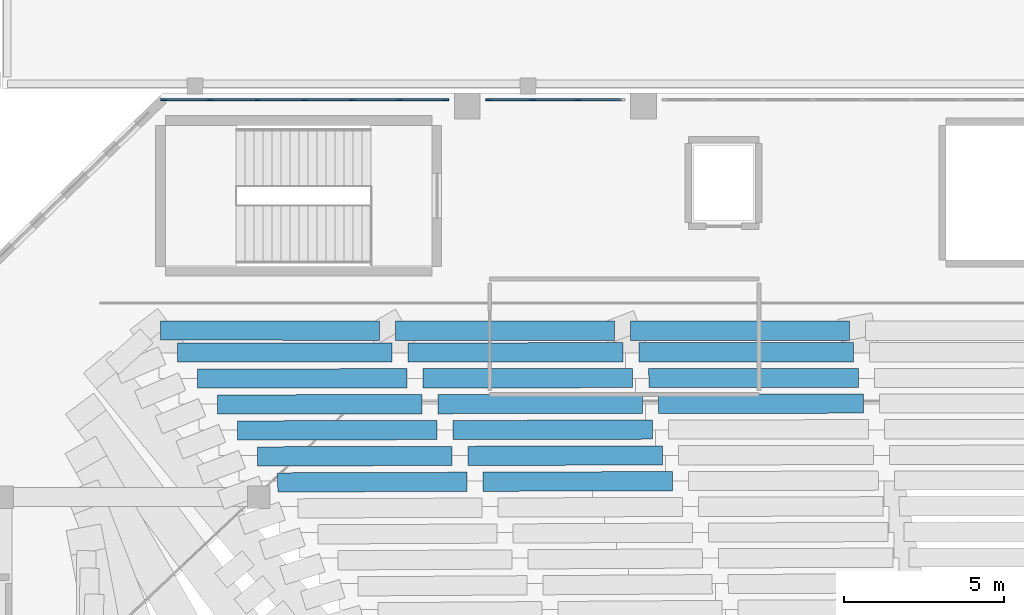
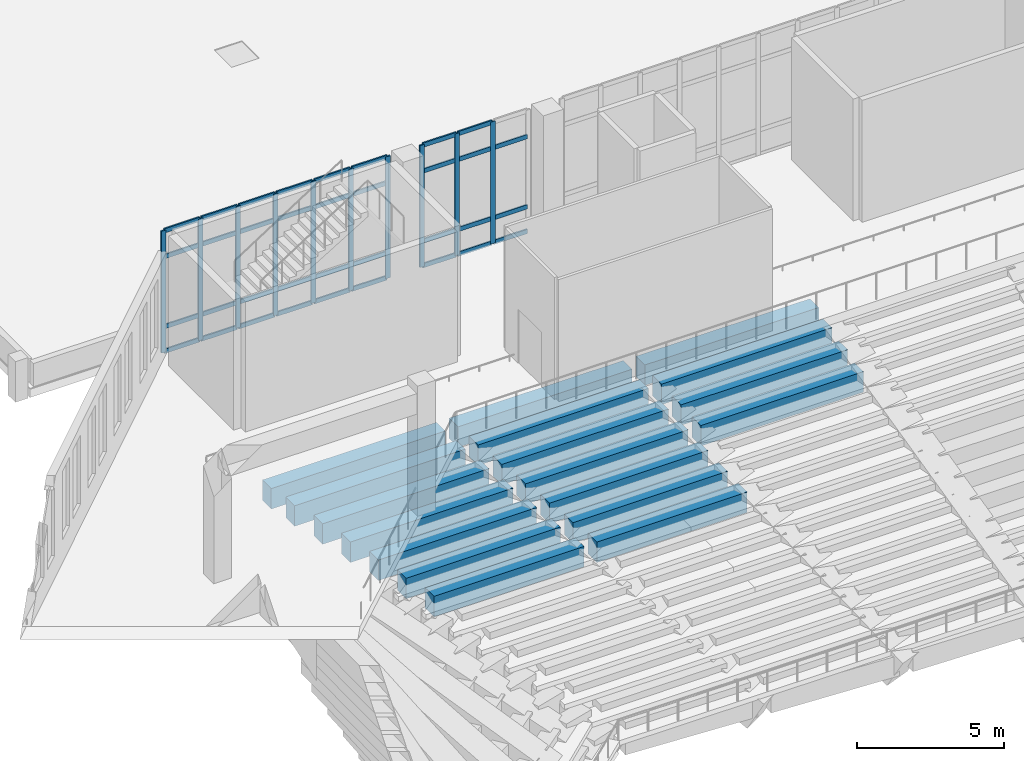
# One storey, part 22 of 55: 45 members, 18 beams, 2 elements without a shape of their own.
"""IFC4 building model written with IfcOpenShell, lengths in metres."""

from ifc_helpers import new_model, si_unit, derived_unit, direction, frame, origin, origin_2d, place, context, subcontext, project, spatial, rectangle, extrude, material, layer, layer_set, material_profile, profile_set, type_object, element, aggregate, save


model = new_model("IFC4")

# Units and contexts
model_context = context("Model", 3, precision=1e-05, world=origin(), true_north=direction((0.0, 1.0)))
body_context = subcontext(model_context, "Body", "Model", "MODEL_VIEW")
ifc_project = project(units=[si_unit("LENGTHUNIT", "METRE"), si_unit("AREAUNIT", "SQUARE_METRE"), si_unit("VOLUMEUNIT", "CUBIC_METRE"), si_unit("PLANEANGLEUNIT", "RADIAN"), si_unit("MASSUNIT", "GRAM", prefix="KILO"), derived_unit("THERMALTRANSMITTANCEUNIT", [(si_unit("MASSUNIT", "GRAM", prefix="KILO"), 1), (si_unit("TIMEUNIT", "SECOND"), -3), (si_unit("THERMODYNAMICTEMPERATUREUNIT", "KELVIN"), -1)])], contexts=[model_context])

# Site, building, storey
site_placement = place(None, origin())
site = spatial("IfcSite", under=ifc_project, at=site_placement, CompositionType="ELEMENT")
building_placement = place(site_placement, origin())
building = spatial("IfcBuilding", under=site, at=building_placement, Name="Valcora Ridge Arena", CompositionType="ELEMENT")
storey_placement = place(building_placement, frame((0.0, 0.0, 21.0)))
storey = spatial("IfcBuildingStorey", under=building, at=storey_placement, Name="L04", CompositionType="ELEMENT", Elevation=21.0)

# Beams
ifc_material_1 = material(Name="Concrete C40/50", Category="concrete")
ifc_material_profile_1 = material_profile(ifc_material_1, rectangle(XDim=0.60009765625, YDim=0.85009765625, at=origin_2d()), Name="RC 600x850")
ifc_profile_set_1 = profile_set([ifc_material_profile_1], Name="Concrete C40/50")
beam_type = type_object("IfcBeamType", Name="TY-BEAM-B-RC600-X", PredefinedType="BEAM", material=ifc_profile_set_1)
beam_1_placement = place(storey_placement, frame((44.902099609375, 96.09716796875, -4.385009765625), z_axis=(-0.999994812156, -0.003221127208, 0.0), x_axis=(0.003221127208, -0.999994812156, 0.0)))
element("IfcBeam", 1, at=beam_1_placement, inside=storey, type_object=beam_type, Name="B-RC600-X BEM-RU3-B-RC600-X-0362", PredefinedType="BEAM", context=body_context, shape_type="SweptSolid", body=[
    extrude(rectangle(XDim=0.60009765625, YDim=0.85009765625, at=origin_2d()), origin(), (0.0, 0.0, 1.0), 5.911865234375),
])
beam_2_placement = place(storey_placement, frame((38.490234375, 96.076416015625, -4.385009765625), z_axis=(-0.999994797988, -0.003225522878, 0.0), x_axis=(0.003225522878, -0.999994797988, 0.0)))
element("IfcBeam", 2, at=beam_2_placement, inside=storey, type_object=beam_type, Name="B-RC600-X BEM-RU3-B-RC600-X-0363", PredefinedType="BEAM", context=body_context, shape_type="SweptSolid", body=[
    extrude(rectangle(XDim=0.60009765625, YDim=0.85009765625, at=origin_2d()), origin(), (0.0, 0.0, 1.0), 5.90380859375),
])
beam_3_placement = place(storey_placement, frame((44.59228515625, 96.90087890625, -3.905029296875), z_axis=(-0.999996581566, -0.002614738236, 0.0), x_axis=(0.002614738236, -0.999996581566, 0.0)))
element("IfcBeam", 3, at=beam_3_placement, inside=storey, type_object=beam_type, Name="B-RC600-X BEM-RU3-B-RC600-X-0392", PredefinedType="BEAM", context=body_context, shape_type="SweptSolid", body=[
    extrude(rectangle(XDim=0.60009765625, YDim=0.85009765625, at=origin_2d()), origin(), (0.0, 0.0, 1.0), 6.069091796875),
])
beam_4_placement = place(storey_placement, frame((38.023193359375, 96.8837890625, -3.905029296875), z_axis=(-0.999996573576, -0.002617792077, 0.0), x_axis=(0.002617792077, -0.999996573576, 0.0)))
element("IfcBeam", 4, at=beam_4_placement, inside=storey, type_object=beam_type, Name="B-RC600-X BEM-RU3-B-RC600-X-0393", PredefinedType="BEAM", context=body_context, shape_type="SweptSolid", body=[
    extrude(rectangle(XDim=0.60009765625, YDim=0.85009765625, at=origin_2d()), origin(), (0.0, 0.0, 1.0), 6.06201171875),
])
beam_5_placement = place(storey_placement, frame((44.2822265625, 97.704833984375, -3.425048828125), z_axis=(-0.999997920969, -0.002039131481, 0.0), x_axis=(0.002039131481, -0.999997920969, 0.0)))
element("IfcBeam", 5, at=beam_5_placement, inside=storey, type_object=beam_type, Name="B-RC600-X BEM-RU3-B-RC600-X-0424", PredefinedType="BEAM", context=body_context, shape_type="SweptSolid", body=[
    extrude(rectangle(XDim=0.60009765625, YDim=0.85009765625, at=origin_2d()), origin(), (0.0, 0.0, 1.0), 6.225830078125),
])
beam_6_placement = place(storey_placement, frame((37.556396484375, 97.691162109375, -3.425048828125), z_axis=(-0.999997836676, -0.002080058294, 0.0), x_axis=(0.002080058294, -0.999997836676, 0.0)))
element("IfcBeam", 6, at=beam_6_placement, inside=storey, type_object=beam_type, Name="B-RC600-X BEM-RU3-B-RC600-X-0425", PredefinedType="BEAM", context=body_context, shape_type="SweptSolid", body=[
    extrude(rectangle(XDim=0.60009765625, YDim=0.85009765625, at=origin_2d()), origin(), (0.0, 0.0, 1.0), 6.220703125),
])
beam_7_placement = place(storey_placement, frame((50.859619140625, 98.5166015625, -2.945068359375), z_axis=(-0.999999342589, -0.00114665674, 0.0), x_axis=(0.00114665674, -0.999999342589, 0.0)))
element("IfcBeam", 7, at=beam_7_placement, inside=storey, type_object=beam_type, Name="B-RC600-X BEM-RU3-B-RC600-X-0455", PredefinedType="BEAM", context=body_context, shape_type="SweptSolid", body=[
    extrude(rectangle(XDim=0.60009765625, YDim=0.85009765625, at=origin_2d()), origin(), (0.0, 0.0, 1.0), 6.387451171875),
])
beam_8_placement = place(storey_placement, frame((43.97216796875, 98.508544921875, -2.945068359375), z_axis=(-0.999998887361, -0.001491736406, 0.0), x_axis=(0.001491736406, -0.999998887361, 0.0)))
element("IfcBeam", 8, at=beam_8_placement, inside=storey, type_object=beam_type, Name="B-RC600-X BEM-RU3-B-RC600-X-0456", PredefinedType="BEAM", context=body_context, shape_type="SweptSolid", body=[
    extrude(rectangle(XDim=0.60009765625, YDim=0.85009765625, at=origin_2d()), origin(), (0.0, 0.0, 1.0), 6.3828125),
])
beam_9_placement = place(storey_placement, frame((37.08935546875, 98.498291015625, -2.945068359375), z_axis=(-0.999998885998, -0.001492649899, 0.0), x_axis=(0.001492649899, -0.999998885998, 0.0)))
element("IfcBeam", 9, at=beam_9_placement, inside=storey, type_object=beam_type, Name="B-RC600-X BEM-RU3-B-RC600-X-0457", PredefinedType="BEAM", context=body_context, shape_type="SweptSolid", body=[
    extrude(rectangle(XDim=0.60009765625, YDim=0.85009765625, at=origin_2d()), origin(), (0.0, 0.0, 1.0), 6.37890625),
])
beam_10_placement = place(storey_placement, frame((50.705078125, 99.31787109375, -2.465087890625), z_axis=(-0.999999721542, -0.000746268449, 0.0), x_axis=(0.000746268449, -0.999999721542, 0.0)))
element("IfcBeam", 10, at=beam_10_placement, inside=storey, type_object=beam_type, Name="B-RC600-X BEM-RU3-B-RC600-X-0487", PredefinedType="BEAM", context=body_context, shape_type="SweptSolid", body=[
    extrude(rectangle(XDim=0.60009765625, YDim=0.85009765625, at=origin_2d()), origin(), (0.0, 0.0, 1.0), 6.54296875),
])
beam_11_placement = place(storey_placement, frame((43.662109375, 99.3125, -2.465087890625), z_axis=(-0.999999528949, -0.00097061962, 0.0), x_axis=(0.00097061962, -0.999999528949, 0.0)))
element("IfcBeam", 11, at=beam_11_placement, inside=storey, type_object=beam_type, Name="B-RC600-X BEM-RU3-B-RC600-X-0488", PredefinedType="BEAM", context=body_context, shape_type="SweptSolid", body=[
    extrude(rectangle(XDim=0.60009765625, YDim=0.85009765625, at=origin_2d()), origin(), (0.0, 0.0, 1.0), 6.539794921875),
])
beam_12_placement = place(storey_placement, frame((36.622314453125, 99.3056640625, -2.465087890625), z_axis=(-0.999999528562, -0.000971018365, 0.0), x_axis=(0.000971018365, -0.999999528562, 0.0)))
element("IfcBeam", 12, at=beam_12_placement, inside=storey, type_object=beam_type, Name="B-RC600-X BEM-RU3-B-RC600-X-0489", PredefinedType="BEAM", context=body_context, shape_type="SweptSolid", body=[
    extrude(rectangle(XDim=0.60009765625, YDim=0.85009765625, at=origin_2d()), origin(), (0.0, 0.0, 1.0), 6.537109375),
])
beam_13_placement = place(storey_placement, frame((50.550537109375, 100.118896484375, -1.985107421875), z_axis=(-0.999999933575, -0.000364484595, 0.0), x_axis=(0.000364484595, -0.999999933575, 0.0)))
element("IfcBeam", 13, at=beam_13_placement, inside=storey, type_object=beam_type, Name="B-RC600-X BEM-RU3-B-RC600-X-0519", PredefinedType="BEAM", context=body_context, shape_type="SweptSolid", body=[
    extrude(rectangle(XDim=0.60009765625, YDim=0.85009765625, at=origin_2d()), origin(), (0.0, 0.0, 1.0), 6.6982421875),
])
beam_14_placement = place(storey_placement, frame((43.352294921875, 100.1162109375, -1.985107421875), z_axis=(-0.999999887702, -0.000473916319, 0.0), x_axis=(0.000473916319, -0.999999887702, 0.0)))
element("IfcBeam", 14, at=beam_14_placement, inside=storey, type_object=beam_type, Name="B-RC600-X BEM-RU3-B-RC600-X-0520", PredefinedType="BEAM", context=body_context, shape_type="SweptSolid", body=[
    extrude(rectangle(XDim=0.60009765625, YDim=0.85009765625, at=origin_2d()), origin(), (0.0, 0.0, 1.0), 6.697021484375),
])
beam_15_placement = place(storey_placement, frame((36.1552734375, 100.11279296875, -1.985107421875), z_axis=(-0.999999887653, -0.000474020001, 0.0), x_axis=(0.000474020001, -0.999999887653, 0.0)))
element("IfcBeam", 15, at=beam_15_placement, inside=storey, type_object=beam_type, Name="B-RC600-X BEM-RU3-B-RC600-X-0521", PredefinedType="BEAM", context=body_context, shape_type="SweptSolid", body=[
    extrude(rectangle(XDim=0.60009765625, YDim=0.85009765625, at=origin_2d()), origin(), (0.0, 0.0, 1.0), 6.695556640625),
])
beam_16_placement = place(storey_placement, frame((50.421875, 100.786376953125, -1.5048828125), z_axis=(-0.999999959099, 0.000286010499, 0.0), x_axis=(-0.000286010499, -0.999999959099, 0.0)))
element("IfcBeam", 16, at=beam_16_placement, inside=storey, type_object=beam_type, Name="B-RC600-X BEM-RU3-B-RC600-X-0551", PredefinedType="BEAM", context=body_context, shape_type="SweptSolid", body=[
    extrude(rectangle(XDim=0.60009765625, YDim=0.85009765625, at=origin_2d()), origin(), (0.0, 0.0, 1.0), 6.828857421875),
])
beam_17_placement = place(storey_placement, frame((43.093017578125, 100.78857421875, -1.5048828125), z_axis=(-0.999999908012, 0.000428923719, 0.0), x_axis=(-0.000428923719, -0.999999908012, 0.0)))
element("IfcBeam", 17, at=beam_17_placement, inside=storey, type_object=beam_type, Name="B-RC600-X BEM-RU3-B-RC600-X-0552", PredefinedType="BEAM", context=body_context, shape_type="SweptSolid", body=[
    extrude(rectangle(XDim=0.60009765625, YDim=0.85009765625, at=origin_2d()), origin(), (0.0, 0.0, 1.0), 6.830322265625),
])
beam_18_placement = place(storey_placement, frame((35.7626953125, 100.79150390625, -1.5048828125), z_axis=(-0.999999892081, 0.000464584326, 0.0), x_axis=(-0.000464584326, -0.999999892081, 0.0)))
element("IfcBeam", 18, at=beam_18_placement, inside=storey, type_object=beam_type, Name="B-RC600-X BEM-RU3-B-RC600-X-0553", PredefinedType="BEAM", context=body_context, shape_type="SweptSolid", body=[
    extrude(rectangle(XDim=0.60009765625, YDim=0.85009765625, at=origin_2d()), origin(), (0.0, 0.0, 1.0), 6.83154296875),
])

# Curtain wall, members
ifc_material_2 = material(Name="Anodised dark bronze architectural aluminium 6063-T6", Category="aluminium")
ifc_layer_1 = layer(ifc_material_2, 0.179931640625, Name="Anodised dark bronze architectural aluminium 6063-T6")
ifc_layer_set_1 = layer_set([ifc_layer_1], Name="Anodised dark bronze architectural aluminium 6063-T6")
curtain_wall_type_1 = type_object("IfcCurtainWallType", Name="TY-CURTAINWALL-CW-V1-GOTH-089X51", PredefinedType="NOTDEFINED", material=ifc_layer_set_1)
curtain_wall_1_placement = place(storey_placement, origin())
curtain_wall_1 = element("IfcCurtainWall", 19, at=curtain_wall_1_placement, inside=storey, type_object=curtain_wall_type_1, Name="CW-V1-GOTH-089X51 CW-0157", PredefinedType="NOTDEFINED")
ifc_material_profile_2 = material_profile(ifc_material_2, rectangle(XDim=0.06005859375, YDim=0.179931640625, at=origin_2d()), Name="ALU MULLION 60x180")
ifc_profile_set_2 = profile_set([ifc_material_profile_2], Name="Anodised dark bronze architectural aluminium 6063-T6")
member_type_1 = type_object("IfcMemberType", Name="TY-MEM-CWM-60x180", PredefinedType="MULLION", material=ifc_profile_set_2)
member_1_placement = place(storey_placement, frame((29.030029296875, 108.0, 0.0), z_axis=(0.0, 0.0, 1.0), x_axis=(0.0, 1.0, 0.0)))
member_1 = element("IfcMember", 20, at=member_1_placement, type_object=member_type_1, Name="CW-0157/CWM-60x180/M00", PredefinedType="MULLION", context=body_context, shape_type="SweptSolid", body=[
    extrude(rectangle(XDim=0.06005859375, YDim=0.179931640625, at=origin_2d()), origin(), (0.0, 0.0, 1.0), 5.06005859375),
])
member_2_placement = place(storey_placement, frame((30.476806640625, 108.0, 0.0), z_axis=(0.0, 0.0, 1.0), x_axis=(0.0, 1.0, 0.0)))
member_2 = element("IfcMember", 21, at=member_2_placement, type_object=member_type_1, Name="CW-0157/CWM-60x180/M01", PredefinedType="MULLION", context=body_context, shape_type="SweptSolid", body=[
    extrude(rectangle(XDim=0.06005859375, YDim=0.179931640625, at=origin_2d()), origin(), (0.0, 0.0, 1.0), 5.06005859375),
])
member_3_placement = place(storey_placement, frame((31.953369140625, 108.0, 0.0), z_axis=(0.0, 0.0, 1.0), x_axis=(0.0, 1.0, 0.0)))
member_3 = element("IfcMember", 22, at=member_3_placement, type_object=member_type_1, Name="CW-0157/CWM-60x180/M02", PredefinedType="MULLION", context=body_context, shape_type="SweptSolid", body=[
    extrude(rectangle(XDim=0.06005859375, YDim=0.179931640625, at=origin_2d()), origin(), (0.0, 0.0, 1.0), 5.06005859375),
])
member_4_placement = place(storey_placement, frame((33.429931640625, 108.0, 0.0), z_axis=(0.0, 0.0, 1.0), x_axis=(0.0, 1.0, 0.0)))
member_4 = element("IfcMember", 23, at=member_4_placement, type_object=member_type_1, Name="CW-0157/CWM-60x180/M03", PredefinedType="MULLION", context=body_context, shape_type="SweptSolid", body=[
    extrude(rectangle(XDim=0.06005859375, YDim=0.179931640625, at=origin_2d()), origin(), (0.0, 0.0, 1.0), 5.06005859375),
])
member_5_placement = place(storey_placement, frame((34.90673828125, 108.0, 0.0), z_axis=(0.0, 0.0, 1.0), x_axis=(0.0, 1.0, 0.0)))
member_5 = element("IfcMember", 24, at=member_5_placement, type_object=member_type_1, Name="CW-0157/CWM-60x180/M04", PredefinedType="MULLION", context=body_context, shape_type="SweptSolid", body=[
    extrude(rectangle(XDim=0.06005859375, YDim=0.179931640625, at=origin_2d()), origin(), (0.0, 0.0, 1.0), 5.06005859375),
])
member_6_placement = place(storey_placement, frame((36.38330078125, 108.0, 0.0), z_axis=(0.0, 0.0, 1.0), x_axis=(0.0, 1.0, 0.0)))
member_6 = element("IfcMember", 25, at=member_6_placement, type_object=member_type_1, Name="CW-0157/CWM-60x180/M05", PredefinedType="MULLION", context=body_context, shape_type="SweptSolid", body=[
    extrude(rectangle(XDim=0.06005859375, YDim=0.179931640625, at=origin_2d()), origin(), (0.0, 0.0, 1.0), 5.06005859375),
])
member_7_placement = place(storey_placement, frame((37.830078125, 108.0, 0.0), z_axis=(0.0, 0.0, 1.0), x_axis=(0.0, 1.0, 0.0)))
member_7 = element("IfcMember", 26, at=member_7_placement, type_object=member_type_1, Name="CW-0157/CWM-60x180/M06", PredefinedType="MULLION", context=body_context, shape_type="SweptSolid", body=[
    extrude(rectangle(XDim=0.06005859375, YDim=0.179931640625, at=origin_2d()), origin(), (0.0, 0.0, 1.0), 5.06005859375),
])

ifc_layer_2 = layer(ifc_material_2, 0.179931640625, Name="Anodised dark bronze architectural aluminium 6063-T6")
ifc_layer_set_2 = layer_set([ifc_layer_2], Name="Anodised dark bronze architectural aluminium 6063-T6")
curtain_wall_type_2 = type_object("IfcCurtainWallType", Name="TY-CURTAINWALL-CW-V1-GOTH-042X51", PredefinedType="NOTDEFINED", material=ifc_layer_set_2)
curtain_wall_2_placement = place(storey_placement, origin())
curtain_wall_2 = element("IfcCurtainWall", 27, at=curtain_wall_2_placement, inside=storey, type_object=curtain_wall_type_2, Name="CW-V1-GOTH-042X51 CW-0158", PredefinedType="NOTDEFINED")
member_8_placement = place(storey_placement, frame((39.169921875, 108.0, 0.0), z_axis=(0.0, 0.0, 1.0), x_axis=(0.0, 1.0, 0.0)))
member_8 = element("IfcMember", 28, at=member_8_placement, type_object=member_type_1, Name="CW-0158/CWM-60x180/M00", PredefinedType="MULLION", context=body_context, shape_type="SweptSolid", body=[
    extrude(rectangle(XDim=0.06005859375, YDim=0.179931640625, at=origin_2d()), origin(), (0.0, 0.0, 1.0), 5.06005859375),
])
member_9_placement = place(storey_placement, frame((40.546630859375, 108.0, 0.0), z_axis=(0.0, 0.0, 1.0), x_axis=(0.0, 1.0, 0.0)))
member_9 = element("IfcMember", 29, at=member_9_placement, type_object=member_type_1, Name="CW-0158/CWM-60x180/M01", PredefinedType="MULLION", context=body_context, shape_type="SweptSolid", body=[
    extrude(rectangle(XDim=0.06005859375, YDim=0.179931640625, at=origin_2d()), origin(), (0.0, 0.0, 1.0), 5.06005859375),
])
member_10_placement = place(storey_placement, frame((41.953369140625, 108.0, 0.0), z_axis=(0.0, 0.0, 1.0), x_axis=(0.0, 1.0, 0.0)))
member_10 = element("IfcMember", 30, at=member_10_placement, type_object=member_type_1, Name="CW-0158/CWM-60x180/M02", PredefinedType="MULLION", context=body_context, shape_type="SweptSolid", body=[
    extrude(rectangle(XDim=0.06005859375, YDim=0.179931640625, at=origin_2d()), origin(), (0.0, 0.0, 1.0), 5.06005859375),
])

# Member
ifc_material_profile_3 = material_profile(ifc_material_2, rectangle(XDim=0.06005859375, YDim=0.179931640625, at=origin_2d()), Name="ALU TRANSOM 60x180")
ifc_profile_set_3 = profile_set([ifc_material_profile_3], Name="Anodised dark bronze architectural aluminium 6063-T6")
member_type_2 = type_object("IfcMemberType", Name="TY-MEM-CWT-60x180", PredefinedType="USERDEFINED", material=ifc_profile_set_3)
member_11_placement = place(storey_placement, frame((29.06005859375, 108.0, 0.030029296875), z_axis=(1.0, 0.0, 0.0), x_axis=(0.0, 1.0, 0.0)))
member_11 = element("IfcMember", 31, at=member_11_placement, type_object=member_type_2, Name="CW-0157/CWT-60x180/T00-00", ObjectType="TRANSOM", PredefinedType="USERDEFINED", context=body_context, shape_type="SweptSolid", body=[
    extrude(rectangle(XDim=0.06005859375, YDim=0.179931640625, at=origin_2d()), origin(), (0.0, 0.0, 1.0), 1.386962890625),
])

member_12_placement = place(storey_placement, frame((29.06005859375, 108.0, 1.050048828125), z_axis=(1.0, 0.0, 0.0), x_axis=(0.0, 1.0, 0.0)))
member_12 = element("IfcMember", 32, at=member_12_placement, type_object=member_type_2, Name="CW-0157/CWT-60x180/T00-01", ObjectType="TRANSOM", PredefinedType="USERDEFINED", context=body_context, shape_type="SweptSolid", body=[
    extrude(rectangle(XDim=0.06005859375, YDim=0.179931640625, at=origin_2d()), origin(), (0.0, 0.0, 1.0), 1.386962890625),
])

member_13_placement = place(storey_placement, frame((29.06005859375, 108.0, 3.9599609375), z_axis=(1.0, 0.0, 0.0), x_axis=(0.0, 1.0, 0.0)))
member_13 = element("IfcMember", 33, at=member_13_placement, type_object=member_type_2, Name="CW-0157/CWT-60x180/T00-02", ObjectType="TRANSOM", PredefinedType="USERDEFINED", context=body_context, shape_type="SweptSolid", body=[
    extrude(rectangle(XDim=0.06005859375, YDim=0.179931640625, at=origin_2d()), origin(), (0.0, 0.0, 1.0), 1.386962890625),
])

member_14_placement = place(storey_placement, frame((29.06005859375, 108.0, 5.030029296875), z_axis=(1.0, 0.0, 0.0), x_axis=(0.0, 1.0, 0.0)))
member_14 = element("IfcMember", 34, at=member_14_placement, type_object=member_type_2, Name="CW-0157/CWT-60x180/T00-03", ObjectType="TRANSOM", PredefinedType="USERDEFINED", context=body_context, shape_type="SweptSolid", body=[
    extrude(rectangle(XDim=0.06005859375, YDim=0.179931640625, at=origin_2d()), origin(), (0.0, 0.0, 1.0), 1.386962890625),
])

member_15_placement = place(storey_placement, frame((30.507080078125, 108.0, 0.030029296875), z_axis=(1.0, 0.0, 0.0), x_axis=(0.0, 1.0, 0.0)))
member_15 = element("IfcMember", 35, at=member_15_placement, type_object=member_type_2, Name="CW-0157/CWT-60x180/T01-00", ObjectType="TRANSOM", PredefinedType="USERDEFINED", context=body_context, shape_type="SweptSolid", body=[
    extrude(rectangle(XDim=0.06005859375, YDim=0.179931640625, at=origin_2d()), origin(), (0.0, 0.0, 1.0), 1.416015625),
])

member_16_placement = place(storey_placement, frame((30.507080078125, 108.0, 1.050048828125), z_axis=(1.0, 0.0, 0.0), x_axis=(0.0, 1.0, 0.0)))
member_16 = element("IfcMember", 36, at=member_16_placement, type_object=member_type_2, Name="CW-0157/CWT-60x180/T01-01", ObjectType="TRANSOM", PredefinedType="USERDEFINED", context=body_context, shape_type="SweptSolid", body=[
    extrude(rectangle(XDim=0.06005859375, YDim=0.179931640625, at=origin_2d()), origin(), (0.0, 0.0, 1.0), 1.416015625),
])

member_17_placement = place(storey_placement, frame((30.507080078125, 108.0, 3.9599609375), z_axis=(1.0, 0.0, 0.0), x_axis=(0.0, 1.0, 0.0)))
member_17 = element("IfcMember", 37, at=member_17_placement, type_object=member_type_2, Name="CW-0157/CWT-60x180/T01-02", ObjectType="TRANSOM", PredefinedType="USERDEFINED", context=body_context, shape_type="SweptSolid", body=[
    extrude(rectangle(XDim=0.06005859375, YDim=0.179931640625, at=origin_2d()), origin(), (0.0, 0.0, 1.0), 1.416015625),
])

member_18_placement = place(storey_placement, frame((30.507080078125, 108.0, 5.030029296875), z_axis=(1.0, 0.0, 0.0), x_axis=(0.0, 1.0, 0.0)))
member_18 = element("IfcMember", 38, at=member_18_placement, type_object=member_type_2, Name="CW-0157/CWT-60x180/T01-03", ObjectType="TRANSOM", PredefinedType="USERDEFINED", context=body_context, shape_type="SweptSolid", body=[
    extrude(rectangle(XDim=0.06005859375, YDim=0.179931640625, at=origin_2d()), origin(), (0.0, 0.0, 1.0), 1.416015625),
])

member_19_placement = place(storey_placement, frame((31.98291015625, 108.0, 0.030029296875), z_axis=(1.0, 0.0, 0.0), x_axis=(0.0, 1.0, 0.0)))
member_19 = element("IfcMember", 39, at=member_19_placement, type_object=member_type_2, Name="CW-0157/CWT-60x180/T02-00", ObjectType="TRANSOM", PredefinedType="USERDEFINED", context=body_context, shape_type="SweptSolid", body=[
    extrude(rectangle(XDim=0.06005859375, YDim=0.179931640625, at=origin_2d()), origin(), (0.0, 0.0, 1.0), 1.4169921875),
])

member_20_placement = place(storey_placement, frame((31.98291015625, 108.0, 1.050048828125), z_axis=(1.0, 0.0, 0.0), x_axis=(0.0, 1.0, 0.0)))
member_20 = element("IfcMember", 40, at=member_20_placement, type_object=member_type_2, Name="CW-0157/CWT-60x180/T02-01", ObjectType="TRANSOM", PredefinedType="USERDEFINED", context=body_context, shape_type="SweptSolid", body=[
    extrude(rectangle(XDim=0.06005859375, YDim=0.179931640625, at=origin_2d()), origin(), (0.0, 0.0, 1.0), 1.4169921875),
])

member_21_placement = place(storey_placement, frame((31.98291015625, 108.0, 3.9599609375), z_axis=(1.0, 0.0, 0.0), x_axis=(0.0, 1.0, 0.0)))
member_21 = element("IfcMember", 41, at=member_21_placement, type_object=member_type_2, Name="CW-0157/CWT-60x180/T02-02", ObjectType="TRANSOM", PredefinedType="USERDEFINED", context=body_context, shape_type="SweptSolid", body=[
    extrude(rectangle(XDim=0.06005859375, YDim=0.179931640625, at=origin_2d()), origin(), (0.0, 0.0, 1.0), 1.4169921875),
])

member_22_placement = place(storey_placement, frame((31.98291015625, 108.0, 5.030029296875), z_axis=(1.0, 0.0, 0.0), x_axis=(0.0, 1.0, 0.0)))
member_22 = element("IfcMember", 42, at=member_22_placement, type_object=member_type_2, Name="CW-0157/CWT-60x180/T02-03", ObjectType="TRANSOM", PredefinedType="USERDEFINED", context=body_context, shape_type="SweptSolid", body=[
    extrude(rectangle(XDim=0.06005859375, YDim=0.179931640625, at=origin_2d()), origin(), (0.0, 0.0, 1.0), 1.4169921875),
])

member_23_placement = place(storey_placement, frame((33.4599609375, 108.0, 0.030029296875), z_axis=(1.0, 0.0, 0.0), x_axis=(0.0, 1.0, 0.0)))
member_23 = element("IfcMember", 43, at=member_23_placement, type_object=member_type_2, Name="CW-0157/CWT-60x180/T03-00", ObjectType="TRANSOM", PredefinedType="USERDEFINED", context=body_context, shape_type="SweptSolid", body=[
    extrude(rectangle(XDim=0.06005859375, YDim=0.179931640625, at=origin_2d()), origin(), (0.0, 0.0, 1.0), 1.4169921875),
])

member_24_placement = place(storey_placement, frame((33.4599609375, 108.0, 1.050048828125), z_axis=(1.0, 0.0, 0.0), x_axis=(0.0, 1.0, 0.0)))
member_24 = element("IfcMember", 44, at=member_24_placement, type_object=member_type_2, Name="CW-0157/CWT-60x180/T03-01", ObjectType="TRANSOM", PredefinedType="USERDEFINED", context=body_context, shape_type="SweptSolid", body=[
    extrude(rectangle(XDim=0.06005859375, YDim=0.179931640625, at=origin_2d()), origin(), (0.0, 0.0, 1.0), 1.4169921875),
])

member_25_placement = place(storey_placement, frame((33.4599609375, 108.0, 3.9599609375), z_axis=(1.0, 0.0, 0.0), x_axis=(0.0, 1.0, 0.0)))
member_25 = element("IfcMember", 45, at=member_25_placement, type_object=member_type_2, Name="CW-0157/CWT-60x180/T03-02", ObjectType="TRANSOM", PredefinedType="USERDEFINED", context=body_context, shape_type="SweptSolid", body=[
    extrude(rectangle(XDim=0.06005859375, YDim=0.179931640625, at=origin_2d()), origin(), (0.0, 0.0, 1.0), 1.4169921875),
])

member_26_placement = place(storey_placement, frame((33.4599609375, 108.0, 5.030029296875), z_axis=(1.0, 0.0, 0.0), x_axis=(0.0, 1.0, 0.0)))
member_26 = element("IfcMember", 46, at=member_26_placement, type_object=member_type_2, Name="CW-0157/CWT-60x180/T03-03", ObjectType="TRANSOM", PredefinedType="USERDEFINED", context=body_context, shape_type="SweptSolid", body=[
    extrude(rectangle(XDim=0.06005859375, YDim=0.179931640625, at=origin_2d()), origin(), (0.0, 0.0, 1.0), 1.4169921875),
])

member_27_placement = place(storey_placement, frame((34.93701171875, 108.0, 0.030029296875), z_axis=(1.0, 0.0, 0.0), x_axis=(0.0, 1.0, 0.0)))
member_27 = element("IfcMember", 47, at=member_27_placement, type_object=member_type_2, Name="CW-0157/CWT-60x180/T04-00", ObjectType="TRANSOM", PredefinedType="USERDEFINED", context=body_context, shape_type="SweptSolid", body=[
    extrude(rectangle(XDim=0.06005859375, YDim=0.179931640625, at=origin_2d()), origin(), (0.0, 0.0, 1.0), 1.416015625),
])

member_28_placement = place(storey_placement, frame((34.93701171875, 108.0, 1.050048828125), z_axis=(1.0, 0.0, 0.0), x_axis=(0.0, 1.0, 0.0)))
member_28 = element("IfcMember", 48, at=member_28_placement, type_object=member_type_2, Name="CW-0157/CWT-60x180/T04-01", ObjectType="TRANSOM", PredefinedType="USERDEFINED", context=body_context, shape_type="SweptSolid", body=[
    extrude(rectangle(XDim=0.06005859375, YDim=0.179931640625, at=origin_2d()), origin(), (0.0, 0.0, 1.0), 1.416015625),
])

member_29_placement = place(storey_placement, frame((34.93701171875, 108.0, 3.9599609375), z_axis=(1.0, 0.0, 0.0), x_axis=(0.0, 1.0, 0.0)))
member_29 = element("IfcMember", 49, at=member_29_placement, type_object=member_type_2, Name="CW-0157/CWT-60x180/T04-02", ObjectType="TRANSOM", PredefinedType="USERDEFINED", context=body_context, shape_type="SweptSolid", body=[
    extrude(rectangle(XDim=0.06005859375, YDim=0.179931640625, at=origin_2d()), origin(), (0.0, 0.0, 1.0), 1.416015625),
])

member_30_placement = place(storey_placement, frame((34.93701171875, 108.0, 5.030029296875), z_axis=(1.0, 0.0, 0.0), x_axis=(0.0, 1.0, 0.0)))
member_30 = element("IfcMember", 50, at=member_30_placement, type_object=member_type_2, Name="CW-0157/CWT-60x180/T04-03", ObjectType="TRANSOM", PredefinedType="USERDEFINED", context=body_context, shape_type="SweptSolid", body=[
    extrude(rectangle(XDim=0.06005859375, YDim=0.179931640625, at=origin_2d()), origin(), (0.0, 0.0, 1.0), 1.416015625),
])

member_31_placement = place(storey_placement, frame((36.4130859375, 108.0, 0.030029296875), z_axis=(1.0, 0.0, 0.0), x_axis=(0.0, 1.0, 0.0)))
member_31 = element("IfcMember", 51, at=member_31_placement, type_object=member_type_2, Name="CW-0157/CWT-60x180/T05-00", ObjectType="TRANSOM", PredefinedType="USERDEFINED", context=body_context, shape_type="SweptSolid", body=[
    extrude(rectangle(XDim=0.06005859375, YDim=0.179931640625, at=origin_2d()), origin(), (0.0, 0.0, 1.0), 1.386962890625),
])

member_32_placement = place(storey_placement, frame((36.4130859375, 108.0, 1.050048828125), z_axis=(1.0, 0.0, 0.0), x_axis=(0.0, 1.0, 0.0)))
member_32 = element("IfcMember", 52, at=member_32_placement, type_object=member_type_2, Name="CW-0157/CWT-60x180/T05-01", ObjectType="TRANSOM", PredefinedType="USERDEFINED", context=body_context, shape_type="SweptSolid", body=[
    extrude(rectangle(XDim=0.06005859375, YDim=0.179931640625, at=origin_2d()), origin(), (0.0, 0.0, 1.0), 1.386962890625),
])

member_33_placement = place(storey_placement, frame((36.4130859375, 108.0, 3.9599609375), z_axis=(1.0, 0.0, 0.0), x_axis=(0.0, 1.0, 0.0)))
member_33 = element("IfcMember", 53, at=member_33_placement, type_object=member_type_2, Name="CW-0157/CWT-60x180/T05-02", ObjectType="TRANSOM", PredefinedType="USERDEFINED", context=body_context, shape_type="SweptSolid", body=[
    extrude(rectangle(XDim=0.06005859375, YDim=0.179931640625, at=origin_2d()), origin(), (0.0, 0.0, 1.0), 1.386962890625),
])

member_34_placement = place(storey_placement, frame((36.4130859375, 108.0, 5.030029296875), z_axis=(1.0, 0.0, 0.0), x_axis=(0.0, 1.0, 0.0)))
member_34 = element("IfcMember", 54, at=member_34_placement, type_object=member_type_2, Name="CW-0157/CWT-60x180/T05-03", ObjectType="TRANSOM", PredefinedType="USERDEFINED", context=body_context, shape_type="SweptSolid", body=[
    extrude(rectangle(XDim=0.06005859375, YDim=0.179931640625, at=origin_2d()), origin(), (0.0, 0.0, 1.0), 1.386962890625),
])

aggregate(curtain_wall_1, [member_1, member_2, member_3, member_4, member_5, member_6, member_7, member_11, member_12, member_13, member_14, member_15, member_16, member_17, member_18, member_19, member_20, member_21, member_22, member_23, member_24, member_25, member_26, member_27, member_28, member_29, member_30, member_31, member_32, member_33, member_34])

member_35_placement = place(storey_placement, frame((39.199951171875, 108.0, 0.030029296875), z_axis=(1.0, 0.0, 0.0), x_axis=(0.0, 1.0, 0.0)))
member_35 = element("IfcMember", 55, at=member_35_placement, type_object=member_type_2, Name="CW-0158/CWT-60x180/T00-00", ObjectType="TRANSOM", PredefinedType="USERDEFINED", context=body_context, shape_type="SweptSolid", body=[
    extrude(rectangle(XDim=0.06005859375, YDim=0.179931640625, at=origin_2d()), origin(), (0.0, 0.0, 1.0), 1.317138671875),
])

member_36_placement = place(storey_placement, frame((39.199951171875, 108.0, 1.050048828125), z_axis=(1.0, 0.0, 0.0), x_axis=(0.0, 1.0, 0.0)))
member_36 = element("IfcMember", 56, at=member_36_placement, type_object=member_type_2, Name="CW-0158/CWT-60x180/T00-01", ObjectType="TRANSOM", PredefinedType="USERDEFINED", context=body_context, shape_type="SweptSolid", body=[
    extrude(rectangle(XDim=0.06005859375, YDim=0.179931640625, at=origin_2d()), origin(), (0.0, 0.0, 1.0), 1.317138671875),
])

member_37_placement = place(storey_placement, frame((39.199951171875, 108.0, 3.9599609375), z_axis=(1.0, 0.0, 0.0), x_axis=(0.0, 1.0, 0.0)))
member_37 = element("IfcMember", 57, at=member_37_placement, type_object=member_type_2, Name="CW-0158/CWT-60x180/T00-02", ObjectType="TRANSOM", PredefinedType="USERDEFINED", context=body_context, shape_type="SweptSolid", body=[
    extrude(rectangle(XDim=0.06005859375, YDim=0.179931640625, at=origin_2d()), origin(), (0.0, 0.0, 1.0), 1.317138671875),
])

member_38_placement = place(storey_placement, frame((39.199951171875, 108.0, 5.030029296875), z_axis=(1.0, 0.0, 0.0), x_axis=(0.0, 1.0, 0.0)))
member_38 = element("IfcMember", 58, at=member_38_placement, type_object=member_type_2, Name="CW-0158/CWT-60x180/T00-03", ObjectType="TRANSOM", PredefinedType="USERDEFINED", context=body_context, shape_type="SweptSolid", body=[
    extrude(rectangle(XDim=0.06005859375, YDim=0.179931640625, at=origin_2d()), origin(), (0.0, 0.0, 1.0), 1.317138671875),
])

member_39_placement = place(storey_placement, frame((40.576904296875, 108.0, 0.030029296875), z_axis=(1.0, 0.0, 0.0), x_axis=(0.0, 1.0, 0.0)))
member_39 = element("IfcMember", 59, at=member_39_placement, type_object=member_type_2, Name="CW-0158/CWT-60x180/T01-00", ObjectType="TRANSOM", PredefinedType="USERDEFINED", context=body_context, shape_type="SweptSolid", body=[
    extrude(rectangle(XDim=0.06005859375, YDim=0.179931640625, at=origin_2d()), origin(), (0.0, 0.0, 1.0), 1.34619140625),
])

member_40_placement = place(storey_placement, frame((40.576904296875, 108.0, 1.050048828125), z_axis=(1.0, 0.0, 0.0), x_axis=(0.0, 1.0, 0.0)))
member_40 = element("IfcMember", 60, at=member_40_placement, type_object=member_type_2, Name="CW-0158/CWT-60x180/T01-01", ObjectType="TRANSOM", PredefinedType="USERDEFINED", context=body_context, shape_type="SweptSolid", body=[
    extrude(rectangle(XDim=0.06005859375, YDim=0.179931640625, at=origin_2d()), origin(), (0.0, 0.0, 1.0), 1.34619140625),
])

member_41_placement = place(storey_placement, frame((40.576904296875, 108.0, 3.9599609375), z_axis=(1.0, 0.0, 0.0), x_axis=(0.0, 1.0, 0.0)))
member_41 = element("IfcMember", 61, at=member_41_placement, type_object=member_type_2, Name="CW-0158/CWT-60x180/T01-02", ObjectType="TRANSOM", PredefinedType="USERDEFINED", context=body_context, shape_type="SweptSolid", body=[
    extrude(rectangle(XDim=0.06005859375, YDim=0.179931640625, at=origin_2d()), origin(), (0.0, 0.0, 1.0), 1.34619140625),
])

member_42_placement = place(storey_placement, frame((40.576904296875, 108.0, 5.030029296875), z_axis=(1.0, 0.0, 0.0), x_axis=(0.0, 1.0, 0.0)))
member_42 = element("IfcMember", 62, at=member_42_placement, type_object=member_type_2, Name="CW-0158/CWT-60x180/T01-03", ObjectType="TRANSOM", PredefinedType="USERDEFINED", context=body_context, shape_type="SweptSolid", body=[
    extrude(rectangle(XDim=0.06005859375, YDim=0.179931640625, at=origin_2d()), origin(), (0.0, 0.0, 1.0), 1.34619140625),
])

member_43_placement = place(storey_placement, frame((41.98291015625, 108.0, 0.030029296875), z_axis=(1.0, 0.0, 0.0), x_axis=(0.0, 1.0, 0.0)))
member_43 = element("IfcMember", 63, at=member_43_placement, type_object=member_type_2, Name="CW-0158/CWT-60x180/T02-00", ObjectType="TRANSOM", PredefinedType="USERDEFINED", context=body_context, shape_type="SweptSolid", body=[
    extrude(rectangle(XDim=0.06005859375, YDim=0.179931640625, at=origin_2d()), origin(), (0.0, 0.0, 1.0), 1.317138671875),
])

member_44_placement = place(storey_placement, frame((41.98291015625, 108.0, 1.050048828125), z_axis=(1.0, 0.0, 0.0), x_axis=(0.0, 1.0, 0.0)))
member_44 = element("IfcMember", 64, at=member_44_placement, type_object=member_type_2, Name="CW-0158/CWT-60x180/T02-01", ObjectType="TRANSOM", PredefinedType="USERDEFINED", context=body_context, shape_type="SweptSolid", body=[
    extrude(rectangle(XDim=0.06005859375, YDim=0.179931640625, at=origin_2d()), origin(), (0.0, 0.0, 1.0), 1.317138671875),
])

member_45_placement = place(storey_placement, frame((41.98291015625, 108.0, 3.9599609375), z_axis=(1.0, 0.0, 0.0), x_axis=(0.0, 1.0, 0.0)))
member_45 = element("IfcMember", 65, at=member_45_placement, type_object=member_type_2, Name="CW-0158/CWT-60x180/T02-02", ObjectType="TRANSOM", PredefinedType="USERDEFINED", context=body_context, shape_type="SweptSolid", body=[
    extrude(rectangle(XDim=0.06005859375, YDim=0.179931640625, at=origin_2d()), origin(), (0.0, 0.0, 1.0), 1.317138671875),
])

aggregate(curtain_wall_2, [member_8, member_9, member_10, member_35, member_36, member_37, member_38, member_39, member_40, member_41, member_42, member_43, member_44, member_45])

save(model, "model.ifc")
